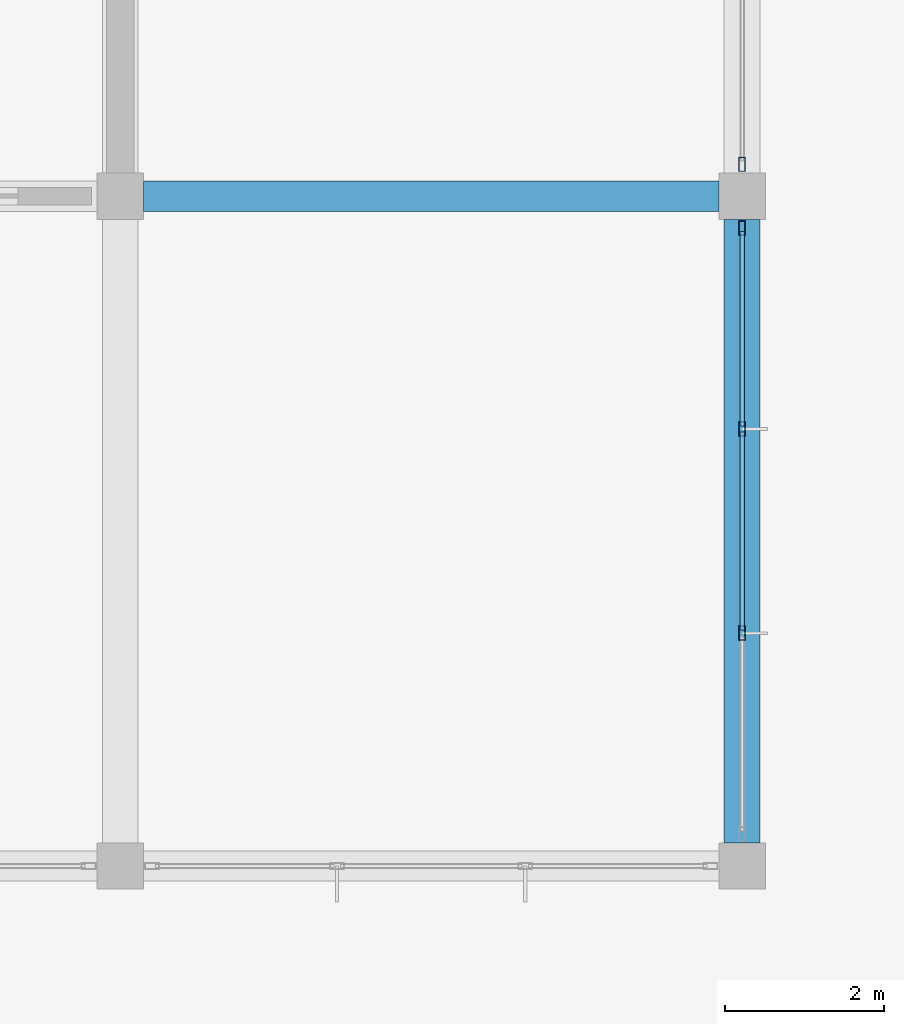
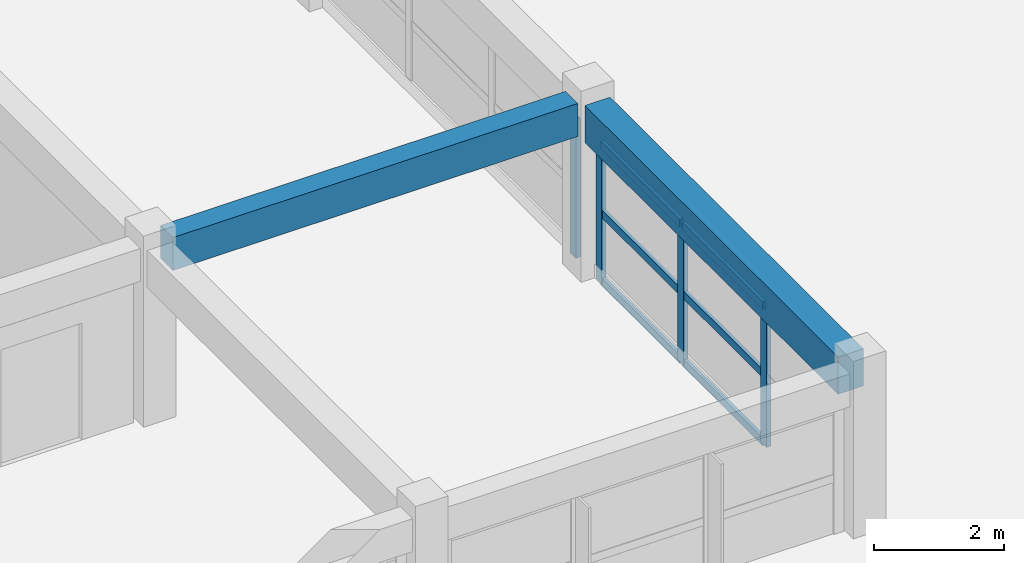
# One storey, part 55 of 101: 10 members, 2 beams, 2 elements without a shape of their own.
"""IFC4 building model written with IfcOpenShell, lengths in metres."""

import ifcopenshell
import ifcopenshell.guid

model = None  # the IFC model being written
_history = None  # IfcOwnerHistory: only IFC2X3 demands one
_inside = {}  # id of a spatial element -> (the spatial element, [elements in it])
_under = {}  # id of a project, library or spatial element -> (it, [spatial elements below it])
_declared = {}  # id of a project -> (the project, [libraries it declares])
_typed = {}  # id of a type object -> (the type object, [elements of that type])
_made_of = {}  # id of a material, layer set ... -> (it, [elements and type objects made of it])


def new_model(schema):
    """Start an empty IFC model of exactly this schema.

    Asked for "IFC4X3", IfcOpenShell would pick the latest addendum, in which some entities
    have other attributes; the version numbers below select the first issue.
    IFC2X3 requires an IfcOwnerHistory on every rooted entity: one is made here for all.
    """
    global model, _history
    if schema == "IFC4X3":
        model = ifcopenshell.file(schema_version=(4, 3, 0, 0))
    else:
        model = ifcopenshell.file(schema=schema)
    _inside.clear()
    _under.clear()
    _declared.clear()
    _typed.clear()
    _made_of.clear()
    _history = None
    if model.schema == "IFC2X3":
        org = make("IfcOrganization", Name="unknown")
        user = make(
            "IfcPersonAndOrganization",
            ThePerson=make("IfcPerson", FamilyName="unknown"),
            TheOrganization=org,
        )
        app = make(
            "IfcApplication",
            ApplicationDeveloper=org,
            Version="unknown",
            ApplicationFullName="unknown",
            ApplicationIdentifier="unknown",
        )
        _history = make(
            "IfcOwnerHistory",
            OwningUser=user,
            OwningApplication=app,
            ChangeAction="ADDED",
            CreationDate=0,
        )
    return model


def make(cls, **values):
    """One entity of the class cls with the attributes given. An attribute that is None is left unset."""
    return model.create_entity(
        cls, **{name: value for name, value in values.items() if value is not None}
    )


def rooted(cls, **values):
    """An entity with a GlobalId (a new one), such as an element, a storey or a relation."""
    return make(cls, GlobalId=ifcopenshell.guid.new(), OwnerHistory=_history, **values)


def si_unit(unit_type, name, prefix=None):
    """IfcSIUnit, for example si_unit("LENGTHUNIT", "METRE", prefix="MILLI")."""
    return make("IfcSIUnit", UnitType=unit_type, Prefix=prefix, Name=name)


def assignment(units):
    """IfcUnitAssignment: the units of a project."""
    return None if units is None else make("IfcUnitAssignment", Units=units)


def point(xyz):
    """IfcCartesianPoint."""
    return None if xyz is None else make("IfcCartesianPoint", Coordinates=xyz)


def direction(xyz):
    """IfcDirection."""
    return None if xyz is None else make("IfcDirection", DirectionRatios=xyz)


def frame(location, z_axis=None, x_axis=None):
    """IfcAxis2Placement3D, a coordinate frame: its origin and axes. An axis left out is left unset."""
    return make(
        "IfcAxis2Placement3D",
        Location=point(location),
        Axis=direction(z_axis),
        RefDirection=direction(x_axis),
    )


def frame_2d(location, x_axis=None):
    """IfcAxis2Placement2D, a coordinate frame in the plane: its origin and x axis."""
    return make(
        "IfcAxis2Placement2D", Location=point(location), RefDirection=direction(x_axis)
    )


def origin():
    """The frame at (0, 0, 0) with its axes left unset."""
    return frame((0.0, 0.0, 0.0))


def origin_2d():
    """The frame at (0, 0) in the plane with its x axis left unset."""
    return frame_2d((0.0, 0.0))


def place(relative_to, where):
    """IfcLocalPlacement: puts the frame where relative to a parent placement (None: the world)."""
    return make(
        "IfcLocalPlacement", PlacementRelTo=relative_to, RelativePlacement=where
    )


def context(
    kind, dimensions, precision=None, world=None, true_north=None, identifier=None
):
    """IfcGeometricRepresentationContext, for example the 3D "Model" context."""
    return make(
        "IfcGeometricRepresentationContext",
        ContextIdentifier=identifier,
        ContextType=kind,
        CoordinateSpaceDimension=dimensions,
        Precision=precision,
        WorldCoordinateSystem=world,
        TrueNorth=true_north,
    )


def subcontext(parent, identifier, kind, view, scale=None):
    """IfcGeometricRepresentationSubContext, for example "Body" below "Model"."""
    return make(
        "IfcGeometricRepresentationSubContext",
        ContextIdentifier=identifier,
        ContextType=kind,
        ParentContext=parent,
        TargetScale=scale,
        TargetView=view,
    )


def project(units=None, contexts=None):
    """IfcProject with its units and contexts."""
    return rooted(
        "IfcProject",
        Name="project",
        RepresentationContexts=contexts,
        UnitsInContext=assignment(units),
    )


def spatial(cls, under=None, at=None, **own):
    """A site, building, storey or space (cls), placed at a placement, below another one or the project."""
    s = rooted(cls, ObjectPlacement=at, **own)
    if under is not None:
        _under.setdefault(under.id(), (under, []))[1].append(s)
    return s


def profile(cls, at=None, kind="AREA", **sizes):
    """A parametric profile (cls). Its sizes go by their IFC names, for example OverallWidth=200.0."""
    return make(cls, ProfileType=kind, Position=at, **sizes)


def rectangle(**sizes):
    """IfcRectangleProfileDef."""
    return profile("IfcRectangleProfileDef", **sizes)


def hollow_rectangle(**sizes):
    """IfcRectangleHollowProfileDef."""
    return profile("IfcRectangleHollowProfileDef", **sizes)


def extrude(swept, where, along, depth):
    """IfcExtrudedAreaSolid: the profile swept, set in the frame where, extruded along a direction by depth."""
    return make(
        "IfcExtrudedAreaSolid",
        SweptArea=swept,
        Position=where,
        ExtrudedDirection=direction(along),
        Depth=depth,
    )


def shape(context_of_items, identifier, shape_type, items):
    """IfcShapeRepresentation: the items that make up one representation, for example the "Body"."""
    return make(
        "IfcShapeRepresentation",
        ContextOfItems=context_of_items,
        RepresentationIdentifier=identifier,
        RepresentationType=shape_type,
        Items=items,
    )


def material(Name=None, Category=None):
    """IfcMaterial."""
    return make("IfcMaterial", Name=Name, Category=Category)


def layer(
    of_material, thickness, ventilated=None, Name=None, Category=None, Priority=None
):
    """IfcMaterialLayer: one layer of a wall or slab, of a material (None: an air gap)."""
    return make(
        "IfcMaterialLayer",
        Material=of_material,
        LayerThickness=thickness,
        IsVentilated=ventilated,
        Name=Name,
        Category=Category,
        Priority=Priority,
    )


def layer_set(layers, Name=None):
    """IfcMaterialLayerSet."""
    return make("IfcMaterialLayerSet", MaterialLayers=layers, LayerSetName=Name)


def material_profile(
    of_material, cross_section, Name=None, Category=None, Priority=None
):
    """IfcMaterialProfile: a cross section and its material."""
    return make(
        "IfcMaterialProfile",
        Name=Name,
        Material=of_material,
        Profile=cross_section,
        Priority=Priority,
        Category=Category,
    )


def profile_set(profiles, Name=None, composite=None):
    """IfcMaterialProfileSet."""
    return make(
        "IfcMaterialProfileSet",
        Name=Name,
        MaterialProfiles=profiles,
        CompositeProfile=composite,
    )


def made_of(thing, what):
    """Note that an element or type object is made of a material, layer set ...; save() writes the relation."""
    if what is not None:
        _made_of.setdefault(what.id(), (what, []))[1].append(thing)
    return thing


def type_object(cls, material=None, **own):
    """A type object (cls), such as IfcWallType, which elements share."""
    return made_of(rooted(cls, **own), material)


def element(
    cls,
    number,
    at=None,
    inside=None,
    cuts=None,
    type_object=None,
    material=None,
    context=None,
    identifier="Body",
    shape_type=None,
    held_by="IfcProductDefinitionShape",
    body=None,
    shapes=None,
    **own,
):
    """One element of the class cls, such as IfcWall. Its Tag is "e" and its number.

    at: its placement. inside: the storey or other place that contains it. cuts: it is an
    opening in that element (IfcRelVoidsElement). A single representation is given by context,
    identifier, shape_type and body (its items); several are given by shapes. held_by: the class
    of the entity that holds the representations. save() writes the other relations.
    """
    e = rooted(cls, Tag="e%d" % number, ObjectPlacement=at, **own)
    if body is not None:
        shapes = [shape(context, identifier, shape_type, body)]
    if shapes is not None:
        e.Representation = make(held_by, Representations=shapes)
    if inside is not None:
        _inside.setdefault(inside.id(), (inside, []))[1].append(e)
    if cuts is not None:
        rooted(
            "IfcRelVoidsElement", RelatingBuildingElement=cuts, RelatedOpeningElement=e
        )
    if type_object is not None:
        _typed.setdefault(type_object.id(), (type_object, []))[1].append(e)
    return made_of(e, material)


def aggregate(whole, parts):
    """IfcRelAggregates: a whole, such as a stair, and the parts it consists of."""
    return rooted("IfcRelAggregates", RelatingObject=whole, RelatedObjects=parts)


def save(model, path):
    """Write the relations noted so far, then the file.

    IfcRelAggregates (storeys below a building ...), IfcRelContainedInSpatialStructure (elements
    in a storey), IfcRelDefinesByType, IfcRelAssociatesMaterial and IfcRelDeclares: one each for
    every whole, place, type object, material and project.
    """
    for whole, parts in _under.values():
        aggregate(whole, parts)
    for where, things in _inside.values():
        rooted(
            "IfcRelContainedInSpatialStructure",
            RelatedElements=things,
            RelatingStructure=where,
        )
    for kind, things in _typed.values():
        rooted("IfcRelDefinesByType", RelatedObjects=things, RelatingType=kind)
    for what, things in _made_of.values():
        rooted("IfcRelAssociatesMaterial", RelatedObjects=things, RelatingMaterial=what)
    for by, libraries in _declared.values():
        rooted("IfcRelDeclares", RelatingContext=by, RelatedDefinitions=libraries)
    model.write(path)


model = new_model("IFC4")

# Units and contexts
model_context = context("Model", 3, precision=1e-05, world=origin(), true_north=direction((0.0, 1.0)))
body_context = subcontext(model_context, "Body", "Model", "MODEL_VIEW")
ifc_project = project(units=[si_unit("LENGTHUNIT", "METRE"), si_unit("AREAUNIT", "SQUARE_METRE"), si_unit("VOLUMEUNIT", "CUBIC_METRE"), si_unit("PLANEANGLEUNIT", "RADIAN"), si_unit("MASSUNIT", "GRAM", prefix="KILO")], contexts=[model_context])

# Site, building, storey
site_placement = place(None, origin())
site = spatial("IfcSite", under=ifc_project, at=site_placement, CompositionType="ELEMENT")
building_placement = place(site_placement, origin())
building = spatial("IfcBuilding", under=site, at=building_placement, Name="Zizhar Promenade General Hospital", CompositionType="ELEMENT")
storey_placement = place(building_placement, frame((0.0, 0.0, 14.39990234375)))
storey = spatial("IfcBuildingStorey", under=building, at=storey_placement, Name="L03", CompositionType="ELEMENT", Elevation=14.39990234375)

# Beams
ifc_material_1 = material(Name="Concrete C35/45", Category="concrete")
ifc_material_profile_1 = material_profile(ifc_material_1, rectangle(XDim=0.3798828125, YDim=0.6201171875, at=origin_2d()))
ifc_profile_set_1 = profile_set([ifc_material_profile_1], Name="Concrete C35/45")
beam_type_1 = type_object("IfcBeamType", Name="BM-RC-380x620", PredefinedType="JOIST", material=ifc_profile_set_1)
beam_1_placement = place(storey_placement, frame((179.68994140625, 50.39990234375, 3.0), z_axis=(1.0, 0.0, 0.0), x_axis=(0.0, 1.0, 0.0)))
element("IfcBeam", 1, at=beam_1_placement, inside=storey, type_object=beam_type_1, Name="Grid Beam X L03 (23-6)", PredefinedType="JOIST", context=body_context, shape_type="SweptSolid", body=[
    extrude(rectangle(XDim=0.3798828125, YDim=0.6201171875, at=origin_2d()), origin(), (0.0, 0.0, 1.0), 7.219970703125),
])
ifc_material_2 = material(Name="Concrete C35/45", Category="concrete")
ifc_material_profile_2 = material_profile(ifc_material_2, rectangle(XDim=0.449951171875, YDim=0.699951171875, at=origin_2d()))
ifc_profile_set_2 = profile_set([ifc_material_profile_2], Name="Concrete C35/45")
beam_type_2 = type_object("IfcBeamType", Name="BM-RC-450x700", PredefinedType="BEAM", material=ifc_profile_set_2)
beam_2_placement = place(storey_placement, frame((187.199951171875, 42.2900390625, 2.960205078125), z_axis=(0.0, 1.0, 0.0), x_axis=(-1.0, 0.0, 0.0)))
element("IfcBeam", 2, at=beam_2_placement, inside=storey, type_object=beam_type_2, Name="Grid Beam Y L03 (24-5)", PredefinedType="BEAM", context=body_context, shape_type="SweptSolid", body=[
    extrude(rectangle(XDim=0.449951171875, YDim=0.699951171875, at=origin_2d()), origin(), (0.0, 0.0, 1.0), 7.820068359375),
])

# Curtain wall, members
ifc_material_3 = material(Name="Anodised aluminium 6063-T6 and low-E glass", Category="aluminium")
ifc_layer = layer(ifc_material_3, 0.159912109375)
ifc_layer_set = layer_set([ifc_layer], Name="Anodised aluminium 6063-T6 and low-E glass")
curtain_wall_type = type_object("IfcCurtainWallType", Name="CW-CLN-L03", PredefinedType="NOTDEFINED", material=ifc_layer_set)
curtain_wall_1_placement = place(storey_placement, origin())
curtain_wall_1 = element("IfcCurtainWall", 3, at=curtain_wall_1_placement, inside=storey, type_object=curtain_wall_type, Name="L03 Clinic Pavilion East Glazing 5", PredefinedType="NOTDEFINED")
ifc_material_4 = material(Name="Anodised aluminium 6063-T6", Category="aluminium")
ifc_material_profile_3 = material_profile(ifc_material_4, hollow_rectangle(XDim=0.080078125, YDim=0.179931640625, WallThickness=0.0048828125, at=origin_2d()))
ifc_profile_set_3 = profile_set([ifc_material_profile_3], Name="Anodised aluminium 6063-T6")
member_type_1 = type_object("IfcMemberType", Name="CWM-ALU-180x80", PredefinedType="MULLION", material=ifc_profile_set_3)
member_1_placement = place(storey_placement, frame((187.199951171875, 50.0, 0.0), z_axis=(0.0, 0.0, 1.0), x_axis=(1.0, 0.0, 0.0)))
member_1 = element("IfcMember", 4, at=member_1_placement, type_object=member_type_1, Name="CW-11 mullion 1", PredefinedType="MULLION", context=body_context, shape_type="SweptSolid", body=[
    extrude(hollow_rectangle(XDim=0.080078125, YDim=0.179931640625, WallThickness=0.0048828125, at=origin_2d()), origin(), (0.0, 0.0, 1.0), 2.6201171875),
])
member_2_placement = place(storey_placement, frame((187.199951171875, 47.47998046875, 0.0), z_axis=(0.0, 0.0, 1.0), x_axis=(1.0, 0.0, 0.0)))
member_2 = element("IfcMember", 5, at=member_2_placement, type_object=member_type_1, Name="CW-11 mullion 2", PredefinedType="MULLION", context=body_context, shape_type="SweptSolid", body=[
    extrude(hollow_rectangle(XDim=0.080078125, YDim=0.179931640625, WallThickness=0.0048828125, at=origin_2d()), origin(), (0.0, 0.0, 1.0), 2.6201171875),
])
member_3_placement = place(storey_placement, frame((187.199951171875, 44.919921875, 0.0), z_axis=(0.0, 0.0, 1.0), x_axis=(1.0, 0.0, 0.0)))
member_3 = element("IfcMember", 6, at=member_3_placement, type_object=member_type_1, Name="CW-11 mullion 3", PredefinedType="MULLION", context=body_context, shape_type="SweptSolid", body=[
    extrude(hollow_rectangle(XDim=0.080078125, YDim=0.179931640625, WallThickness=0.0048828125, at=origin_2d()), origin(), (0.0, 0.0, 1.0), 2.6201171875),
])

# Curtain wall, member
curtain_wall_2_placement = place(storey_placement, origin())
curtain_wall_2 = element("IfcCurtainWall", 7, at=curtain_wall_2_placement, inside=storey, type_object=curtain_wall_type, Name="L03 Clinic Pavilion East Glazing 6", PredefinedType="NOTDEFINED")
member_4_placement = place(storey_placement, frame((187.199951171875, 50.800048828125, 0.0), z_axis=(0.0, 0.0, 1.0), x_axis=(1.0, 0.0, 0.0)))
member_4 = element("IfcMember", 8, at=member_4_placement, type_object=member_type_1, Name="CW-11 mullion 4", PredefinedType="MULLION", context=body_context, shape_type="SweptSolid", body=[
    extrude(hollow_rectangle(XDim=0.080078125, YDim=0.179931640625, WallThickness=0.0048828125, at=origin_2d()), origin(), (0.0, 0.0, 1.0), 2.6201171875),
])
aggregate(curtain_wall_2, [member_4])

# Member
ifc_material_5 = material(Name="Anodised aluminium 6063-T6", Category="aluminium")
ifc_material_profile_4 = material_profile(ifc_material_5, hollow_rectangle(XDim=0.06005859375, YDim=0.14990234375, WallThickness=0.00390625, at=origin_2d()))
ifc_profile_set_4 = profile_set([ifc_material_profile_4], Name="Anodised aluminium 6063-T6")
member_type_2 = type_object("IfcMemberType", Name="CWT-ALU-150x60", PredefinedType="USERDEFINED", material=ifc_profile_set_4)
member_5_placement = place(storey_placement, frame((187.199951171875, 49.9599609375, 0.030029296875), z_axis=(0.0, -1.0, 0.0), x_axis=(1.0, 0.0, 0.0)))
member_5 = element("IfcMember", 9, at=member_5_placement, type_object=member_type_2, Name="CW-11 transom 1.1", ObjectType="TRANSOM", PredefinedType="USERDEFINED", context=body_context, shape_type="SweptSolid", body=[
    extrude(hollow_rectangle(XDim=0.06005859375, YDim=0.14990234375, WallThickness=0.00390625, at=origin_2d()), origin(), (0.0, 0.0, 1.0), 2.43994140625),
])

member_6_placement = place(storey_placement, frame((187.199951171875, 49.9599609375, 1.31005859375), z_axis=(0.0, -1.0, 0.0), x_axis=(1.0, 0.0, 0.0)))
member_6 = element("IfcMember", 10, at=member_6_placement, type_object=member_type_2, Name="CW-11 transom 1.2", ObjectType="TRANSOM", PredefinedType="USERDEFINED", context=body_context, shape_type="SweptSolid", body=[
    extrude(hollow_rectangle(XDim=0.06005859375, YDim=0.14990234375, WallThickness=0.00390625, at=origin_2d()), origin(), (0.0, 0.0, 1.0), 2.43994140625),
])

member_7_placement = place(storey_placement, frame((187.199951171875, 49.9599609375, 2.590087890625), z_axis=(0.0, -1.0, 0.0), x_axis=(1.0, 0.0, 0.0)))
member_7 = element("IfcMember", 11, at=member_7_placement, type_object=member_type_2, Name="CW-11 transom 1.3", ObjectType="TRANSOM", PredefinedType="USERDEFINED", context=body_context, shape_type="SweptSolid", body=[
    extrude(hollow_rectangle(XDim=0.06005859375, YDim=0.14990234375, WallThickness=0.00390625, at=origin_2d()), origin(), (0.0, 0.0, 1.0), 2.43994140625),
])

member_8_placement = place(storey_placement, frame((187.199951171875, 47.43994140625, 0.030029296875), z_axis=(0.0, -1.0, 0.0), x_axis=(1.0, 0.0, 0.0)))
member_8 = element("IfcMember", 12, at=member_8_placement, type_object=member_type_2, Name="CW-11 transom 2.1", ObjectType="TRANSOM", PredefinedType="USERDEFINED", context=body_context, shape_type="SweptSolid", body=[
    extrude(hollow_rectangle(XDim=0.06005859375, YDim=0.14990234375, WallThickness=0.00390625, at=origin_2d()), origin(), (0.0, 0.0, 1.0), 2.47998046875),
])

member_9_placement = place(storey_placement, frame((187.199951171875, 47.43994140625, 1.31005859375), z_axis=(0.0, -1.0, 0.0), x_axis=(1.0, 0.0, 0.0)))
member_9 = element("IfcMember", 13, at=member_9_placement, type_object=member_type_2, Name="CW-11 transom 2.2", ObjectType="TRANSOM", PredefinedType="USERDEFINED", context=body_context, shape_type="SweptSolid", body=[
    extrude(hollow_rectangle(XDim=0.06005859375, YDim=0.14990234375, WallThickness=0.00390625, at=origin_2d()), origin(), (0.0, 0.0, 1.0), 2.47998046875),
])

member_10_placement = place(storey_placement, frame((187.199951171875, 47.43994140625, 2.590087890625), z_axis=(0.0, -1.0, 0.0), x_axis=(1.0, 0.0, 0.0)))
member_10 = element("IfcMember", 14, at=member_10_placement, type_object=member_type_2, Name="CW-11 transom 2.3", ObjectType="TRANSOM", PredefinedType="USERDEFINED", context=body_context, shape_type="SweptSolid", body=[
    extrude(hollow_rectangle(XDim=0.06005859375, YDim=0.14990234375, WallThickness=0.00390625, at=origin_2d()), origin(), (0.0, 0.0, 1.0), 2.47998046875),
])

aggregate(curtain_wall_1, [member_1, member_2, member_3, member_5, member_6, member_7, member_8, member_9, member_10])

save(model, "model.ifc")
